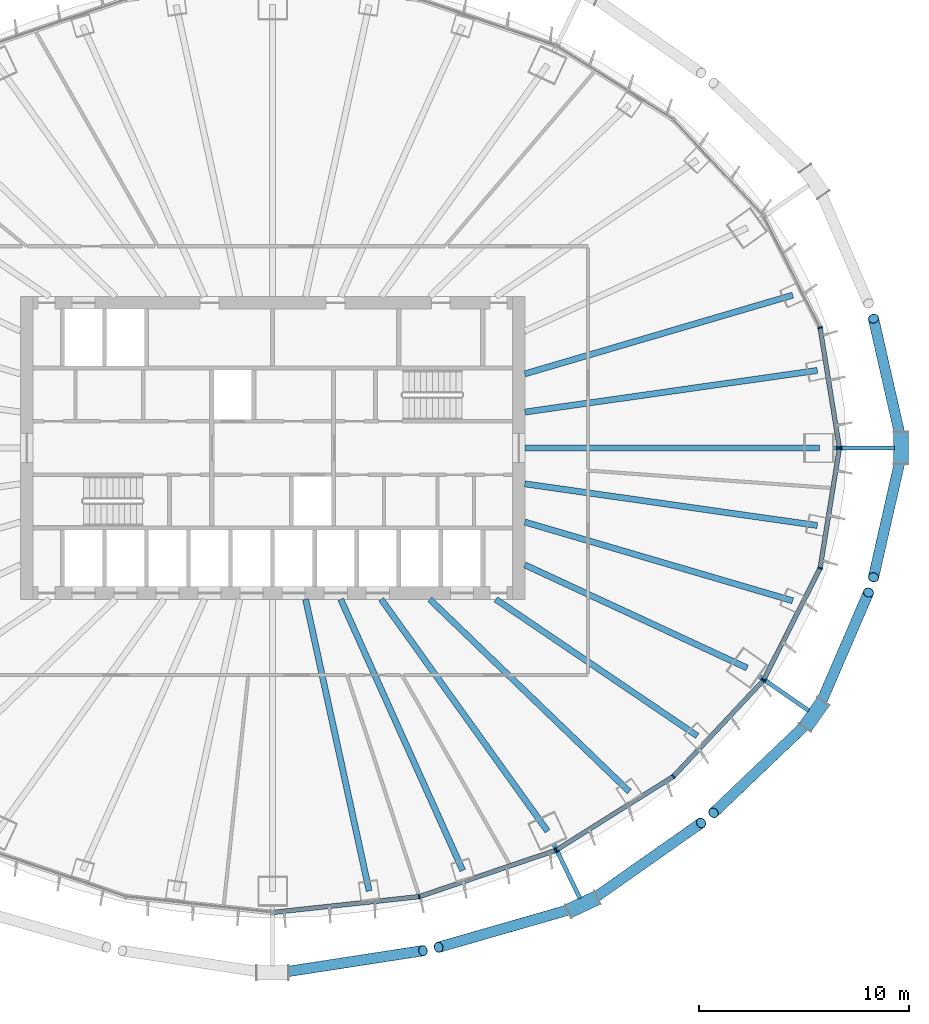
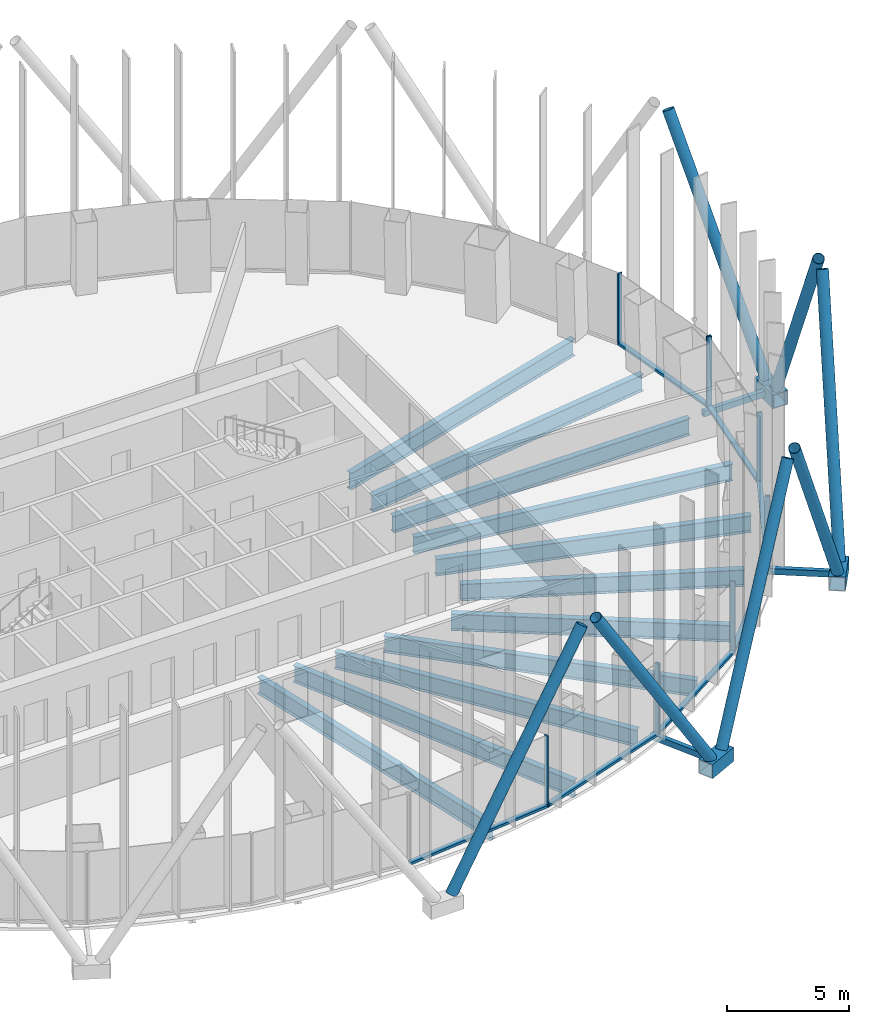
# One storey, part 3 of 21: 30 members, 11 beams, 4 elements without a shape of their own.
"""IFC4 building model written with IfcOpenShell, lengths in metres."""

from ifc_helpers import new_model, si_unit, direction, frame, origin, origin_2d, place, context, subcontext, project, spatial, rectangle, hollow_rectangle, hollow_circle, i_section, extrude, material, layer, layer_set, material_profile, profile_set, type_object, element, aggregate, save


model = new_model("IFC4")

# Units and contexts
model_context = context("Model", 3, precision=1e-05, world=origin(), true_north=direction((0.0, 1.0)))
body_context = subcontext(model_context, "Body", "Model", "MODEL_VIEW")
ifc_project = project(units=[si_unit("LENGTHUNIT", "METRE"), si_unit("AREAUNIT", "SQUARE_METRE"), si_unit("VOLUMEUNIT", "CUBIC_METRE"), si_unit("PLANEANGLEUNIT", "RADIAN"), si_unit("MASSUNIT", "GRAM", prefix="KILO")], contexts=[model_context])

# Site, building, storey
site_placement = place(None, origin())
site = spatial("IfcSite", under=ifc_project, at=site_placement, CompositionType="ELEMENT")
building_placement = place(site_placement, origin())
building = spatial("IfcBuilding", under=site, at=building_placement, Name="Siaravel Broadcast Tower", CompositionType="ELEMENT")
storey_placement = place(building_placement, frame((0.0, 0.0, 70.39990234375)))
storey = spatial("IfcBuildingStorey", under=building, at=storey_placement, Name="L16", CompositionType="ELEMENT", Elevation=70.39990234375)

# Beams
ifc_material_1 = material(Name="Steel S355", Category="steel")
ifc_material_profile_1 = material_profile(ifc_material_1, i_section(OverallWidth=0.291748046875, OverallDepth=0.8349609375, WebThickness=0.013916015625, FlangeThickness=0.018798828125, FilletRadius=0.017822265625, at=origin_2d()))
ifc_profile_set_1 = profile_set([ifc_material_profile_1], Name="Steel S355")
beam_type = type_object("IfcBeamType", Name="BM-UB 838x292x176", PredefinedType="BEAM", material=ifc_profile_set_1)
beam_1_placement = place(storey_placement, frame((26.005615234375, 0.0, -0.5673828125), z_axis=(-1.0, 0.0, 0.0), x_axis=(0.0, -1.0, 0.0)))
element("IfcBeam", 1, at=beam_1_placement, inside=storey, type_object=beam_type, Name="Radial beam RB01", PredefinedType="BEAM", context=body_context, shape_type="SweptSolid", body=[
    extrude(i_section(OverallWidth=0.291748046875, OverallDepth=0.8349609375, WebThickness=0.013916015625, FlangeThickness=0.018798828125, FilletRadius=0.017822265625, at=origin_2d()), origin(), (0.0, 0.0, 1.0), 14.005615234375),
])
beam_2_placement = place(storey_placement, frame((25.911865234375, 3.68701171875, -0.5673828125), z_axis=(-0.990028218, -0.140869185, 0.0), x_axis=(0.140869185, -0.990028218, 0.0)))
element("IfcBeam", 2, at=beam_2_placement, inside=storey, type_object=beam_type, Name="Radial beam RB02", PredefinedType="BEAM", context=body_context, shape_type="SweptSolid", body=[
    extrude(i_section(OverallWidth=0.291748046875, OverallDepth=0.8349609375, WebThickness=0.013916015625, FlangeThickness=0.018798828125, FilletRadius=0.017822265625, at=origin_2d()), origin(), (0.0, 0.0, 1.0), 14.052001953125),
])
beam_3_placement = place(storey_placement, frame((24.739990234375, 7.268798828125, -0.5673828125), z_axis=(-0.959449778, -0.281879626, 0.0), x_axis=(0.281879626, -0.959449778, 0.0)))
element("IfcBeam", 3, at=beam_3_placement, inside=storey, type_object=beam_type, Name="Radial beam RB03", PredefinedType="BEAM", context=body_context, shape_type="SweptSolid", body=[
    extrude(i_section(OverallWidth=0.291748046875, OverallDepth=0.8349609375, WebThickness=0.013916015625, FlangeThickness=0.018798828125, FilletRadius=0.017822265625, at=origin_2d()), origin(), (0.0, 0.0, 1.0), 13.2783203125),
])
beam_4_placement = place(storey_placement, frame((4.592529296875, -21.073486328125, -0.5673828125), z_axis=(-0.212930726, 0.977067299, 0.0), x_axis=(-0.977067299, -0.212930726, 0.0)))
element("IfcBeam", 4, at=beam_4_placement, inside=storey, type_object=beam_type, Name="Radial beam RB29", PredefinedType="BEAM", context=body_context, shape_type="SweptSolid", body=[
    extrude(i_section(OverallWidth=0.291748046875, OverallDepth=0.8349609375, WebThickness=0.013916015625, FlangeThickness=0.018798828125, FilletRadius=0.017822265625, at=origin_2d()), origin(), (0.0, 0.0, 1.0), 14.19921875),
])
beam_5_placement = place(storey_placement, frame((9.0419921875, -20.096923828125, -0.5673828125), z_axis=(-0.410297202, 0.911951866, 0.0), x_axis=(-0.911951866, -0.410297202, 0.0)))
element("IfcBeam", 5, at=beam_5_placement, inside=storey, type_object=beam_type, Name="Radial beam RB30", PredefinedType="BEAM", context=body_context, shape_type="SweptSolid", body=[
    extrude(i_section(OverallWidth=0.291748046875, OverallDepth=0.8349609375, WebThickness=0.013916015625, FlangeThickness=0.018798828125, FilletRadius=0.017822265625, at=origin_2d()), origin(), (0.0, 0.0, 1.0), 14.14208984375),
])
beam_6_placement = place(storey_placement, frame((13.08251953125, -18.233642578125, -0.5673828125), z_axis=(-0.582957933, 0.812502338, 0.0), x_axis=(-0.812502338, -0.582957933, 0.0)))
element("IfcBeam", 6, at=beam_6_placement, inside=storey, type_object=beam_type, Name="Radial beam RB31", PredefinedType="BEAM", context=body_context, shape_type="SweptSolid", body=[
    extrude(i_section(OverallWidth=0.291748046875, OverallDepth=0.8349609375, WebThickness=0.013916015625, FlangeThickness=0.018798828125, FilletRadius=0.017822265625, at=origin_2d()), origin(), (0.0, 0.0, 1.0), 13.579833984375),
])
beam_7_placement = place(storey_placement, frame((16.97021484375, -16.348876953125, -0.5673828125), z_axis=(-0.72016602, 0.693801775, 0.0), x_axis=(-0.693801775, -0.72016602, 0.0)))
element("IfcBeam", 7, at=beam_7_placement, inside=storey, type_object=beam_type, Name="Radial beam RB32", PredefinedType="BEAM", context=body_context, shape_type="SweptSolid", body=[
    extrude(i_section(OverallWidth=0.291748046875, OverallDepth=0.8349609375, WebThickness=0.013916015625, FlangeThickness=0.018798828125, FilletRadius=0.017822265625, at=origin_2d()), origin(), (0.0, 0.0, 1.0), 13.186767578125),
])
beam_8_placement = place(storey_placement, frame((20.205322265625, -13.69921875, -0.5673828125), z_axis=(-0.827695388, 0.561177641, 0.0), x_axis=(-0.561177641, -0.827695388, 0.0)))
element("IfcBeam", 8, at=beam_8_placement, inside=storey, type_object=beam_type, Name="Radial beam RB33", PredefinedType="BEAM", context=body_context, shape_type="SweptSolid", body=[
    extrude(i_section(OverallWidth=0.291748046875, OverallDepth=0.8349609375, WebThickness=0.013916015625, FlangeThickness=0.018798828125, FilletRadius=0.017822265625, at=origin_2d()), origin(), (0.0, 0.0, 1.0), 11.58154296875),
])
beam_9_placement = place(storey_placement, frame((22.5751953125, -10.467529296875, -0.5673828125), z_axis=(-0.907224841, 0.420646036, 0.0), x_axis=(-0.420646036, -0.907224841, 0.0)))
element("IfcBeam", 9, at=beam_9_placement, inside=storey, type_object=beam_type, Name="Radial beam RB34", PredefinedType="BEAM", context=body_context, shape_type="SweptSolid", body=[
    extrude(i_section(OverallWidth=0.291748046875, OverallDepth=0.8349609375, WebThickness=0.013916015625, FlangeThickness=0.018798828125, FilletRadius=0.017822265625, at=origin_2d()), origin(), (0.0, 0.0, 1.0), 11.65673828125),
])
beam_10_placement = place(storey_placement, frame((24.739990234375, -7.268798828125, -0.5673828125), z_axis=(-0.959449778, 0.281879626, 0.0), x_axis=(-0.281879626, -0.959449778, 0.0)))
element("IfcBeam", 10, at=beam_10_placement, inside=storey, type_object=beam_type, Name="Radial beam RB35", PredefinedType="BEAM", context=body_context, shape_type="SweptSolid", body=[
    extrude(i_section(OverallWidth=0.291748046875, OverallDepth=0.8349609375, WebThickness=0.013916015625, FlangeThickness=0.018798828125, FilletRadius=0.017822265625, at=origin_2d()), origin(), (0.0, 0.0, 1.0), 13.2783203125),
])
beam_11_placement = place(storey_placement, frame((25.911865234375, -3.68701171875, -0.5673828125), z_axis=(-0.990028218, 0.140869185, 0.0), x_axis=(-0.140869185, -0.990028218, 0.0)))
element("IfcBeam", 11, at=beam_11_placement, inside=storey, type_object=beam_type, Name="Radial beam RB36", PredefinedType="BEAM", context=body_context, shape_type="SweptSolid", body=[
    extrude(i_section(OverallWidth=0.291748046875, OverallDepth=0.8349609375, WebThickness=0.013916015625, FlangeThickness=0.018798828125, FilletRadius=0.017822265625, at=origin_2d()), origin(), (0.0, 0.0, 1.0), 14.052001953125),
])

# Curtain wall, members
ifc_material_2 = material(Name="Aluminium 6063-T6", Category="aluminium")
ifc_layer = layer(ifc_material_2, 0.219970703125)
ifc_layer_set = layer_set([ifc_layer], Name="Aluminium 6063-T6")
curtain_wall_type = type_object("IfcCurtainWallType", Name="Unitised curtain wall, zone 1", PredefinedType="NOTDEFINED", material=ifc_layer_set)
curtain_wall_1_placement = place(storey_placement, origin())
curtain_wall_1 = element("IfcCurtainWall", 12, at=curtain_wall_1_placement, inside=storey, type_object=curtain_wall_type, Name="L16 Unitised curtain wall, zone 1 01", PredefinedType="NOTDEFINED")
ifc_material_profile_2 = material_profile(ifc_material_2, rectangle(XDim=0.219970703125, YDim=0.070068359375, at=origin_2d()))
ifc_profile_set_2 = profile_set([ifc_material_profile_2], Name="Aluminium 6063-T6")
member_type_1 = type_object("IfcMemberType", Name="CW-Z1 mullion", PredefinedType="MULLION", material=ifc_profile_set_2)
member_1_placement = place(storey_placement, frame((26.9580078125, 0.03466796875, 0.0), z_axis=(0.0, 0.0, 1.0), x_axis=(-0.987329186, -0.158685468, 0.0)))
member_1 = element("IfcMember", 13, at=member_1_placement, type_object=member_type_1, Name="CW-Z1 mullion 1", PredefinedType="MULLION", context=body_context, shape_type="SweptSolid", body=[
    extrude(rectangle(XDim=0.219970703125, YDim=0.070068359375, at=origin_2d()), origin(), (0.0, 0.0, 1.0), 3.550048828125),
])
member_2_placement = place(storey_placement, frame((26.044189453125, 5.72119140625, 0.0), z_axis=(0.0, 0.0, 1.0), x_axis=(-0.951177254, -0.308645154, 0.0)))
member_2 = element("IfcMember", 14, at=member_2_placement, type_object=member_type_1, Name="CW-Z1 mullion 2", PredefinedType="MULLION", context=body_context, shape_type="SweptSolid", body=[
    extrude(rectangle(XDim=0.219970703125, YDim=0.070068359375, at=origin_2d()), origin(), (0.0, 0.0, 1.0), 3.550048828125),
])

curtain_wall_2_placement = place(storey_placement, origin())
curtain_wall_2 = element("IfcCurtainWall", 15, at=curtain_wall_2_placement, inside=storey, type_object=curtain_wall_type, Name="L16 Unitised curtain wall, zone 1 10", PredefinedType="NOTDEFINED")
member_3_placement = place(storey_placement, frame((6.9765625, -21.343017578125, 0.0), z_axis=(0.0, 0.0, 1.0), x_axis=(-0.21555841, 0.976490948, 0.0)))
member_3 = element("IfcMember", 16, at=member_3_placement, type_object=member_type_1, Name="CW-Z1 mullion 2", PredefinedType="MULLION", context=body_context, shape_type="SweptSolid", body=[
    extrude(rectangle(XDim=0.219970703125, YDim=0.070068359375, at=origin_2d()), origin(), (0.0, 0.0, 1.0), 3.550048828125),
])
member_4_placement = place(storey_placement, frame((13.445068359375, -19.148193359375, 0.0), z_axis=(0.0, 0.0, 1.0), x_axis=(-0.321301105, 0.946977085, 0.0)))
member_4 = element("IfcMember", 17, at=member_4_placement, type_object=member_type_1, Name="CW-Z1 mullion 3", PredefinedType="MULLION", context=body_context, shape_type="SweptSolid", body=[
    extrude(rectangle(XDim=0.219970703125, YDim=0.070068359375, at=origin_2d()), origin(), (0.0, 0.0, 1.0), 3.550048828125),
])

curtain_wall_3_placement = place(storey_placement, origin())
curtain_wall_3 = element("IfcCurtainWall", 18, at=curtain_wall_3_placement, inside=storey, type_object=curtain_wall_type, Name="L16 Unitised curtain wall, zone 1 11", PredefinedType="NOTDEFINED")
member_5_placement = place(storey_placement, frame((13.5078125, -19.118408203125, 0.0), z_axis=(0.0, 0.0, 1.0), x_axis=(-0.532149761, 0.846650242, 0.0)))
member_5 = element("IfcMember", 19, at=member_5_placement, type_object=member_type_1, Name="CW-Z1 mullion 1", PredefinedType="MULLION", context=body_context, shape_type="SweptSolid", body=[
    extrude(rectangle(XDim=0.219970703125, YDim=0.070068359375, at=origin_2d()), origin(), (0.0, 0.0, 1.0), 3.550048828125),
])
member_6_placement = place(storey_placement, frame((19.0625, -15.627197265625, 0.0), z_axis=(0.0, 0.0, 1.0), x_axis=(-0.63621907, 0.771508454, 0.0)))
member_6 = element("IfcMember", 20, at=member_6_placement, type_object=member_type_1, Name="CW-Z1 mullion 2", PredefinedType="MULLION", context=body_context, shape_type="SweptSolid", body=[
    extrude(rectangle(XDim=0.219970703125, YDim=0.070068359375, at=origin_2d()), origin(), (0.0, 0.0, 1.0), 3.550048828125),
])
member_7_placement = place(storey_placement, frame((23.32470703125, -11.076904296875, 0.0), z_axis=(0.0, 0.0, 1.0), x_axis=(-0.729805583, 0.683654746, 0.0)))
member_7 = element("IfcMember", 21, at=member_7_placement, type_object=member_type_1, Name="CW-Z1 mullion 3", PredefinedType="MULLION", context=body_context, shape_type="SweptSolid", body=[
    extrude(rectangle(XDim=0.219970703125, YDim=0.070068359375, at=origin_2d()), origin(), (0.0, 0.0, 1.0), 3.550048828125),
])

curtain_wall_4_placement = place(storey_placement, origin())
curtain_wall_4 = element("IfcCurtainWall", 22, at=curtain_wall_4_placement, inside=storey, type_object=curtain_wall_type, Name="L16 Unitised curtain wall, zone 1 12", PredefinedType="NOTDEFINED")
member_8_placement = place(storey_placement, frame((23.364501953125, -11.020263671875, 0.0), z_axis=(0.0, 0.0, 1.0), x_axis=(-0.892392184, 0.451260668, 0.0)))
member_8 = element("IfcMember", 23, at=member_8_placement, type_object=member_type_1, Name="CW-Z1 mullion 1", PredefinedType="MULLION", context=body_context, shape_type="SweptSolid", body=[
    extrude(rectangle(XDim=0.219970703125, YDim=0.070068359375, at=origin_2d()), origin(), (0.0, 0.0, 1.0), 3.550048828125),
])
member_9_placement = place(storey_placement, frame((26.044189453125, -5.72119140625, 0.0), z_axis=(0.0, 0.0, 1.0), x_axis=(-0.951177254, 0.308645154, 0.0)))
member_9 = element("IfcMember", 24, at=member_9_placement, type_object=member_type_1, Name="CW-Z1 mullion 2", PredefinedType="MULLION", context=body_context, shape_type="SweptSolid", body=[
    extrude(rectangle(XDim=0.219970703125, YDim=0.070068359375, at=origin_2d()), origin(), (0.0, 0.0, 1.0), 3.550048828125),
])
member_10_placement = place(storey_placement, frame((26.9580078125, -0.03466796875, 0.0), z_axis=(0.0, 0.0, 1.0), x_axis=(-0.987329186, 0.158685468, 0.0)))
member_10 = element("IfcMember", 25, at=member_10_placement, type_object=member_type_1, Name="CW-Z1 mullion 3", PredefinedType="MULLION", context=body_context, shape_type="SweptSolid", body=[
    extrude(rectangle(XDim=0.219970703125, YDim=0.070068359375, at=origin_2d()), origin(), (0.0, 0.0, 1.0), 3.550048828125),
])

# Member
ifc_material_profile_3 = material_profile(ifc_material_2, rectangle(XDim=0.219970703125, YDim=0.1201171875, at=origin_2d()))
ifc_profile_set_3 = profile_set([ifc_material_profile_3], Name="Aluminium 6063-T6")
member_type_2 = type_object("IfcMemberType", Name="CW-Z1 transom", PredefinedType="USERDEFINED", material=ifc_profile_set_3)
member_11_placement = place(storey_placement, frame((26.952392578125, 0.069091796875, 0.06005859375), z_axis=(-0.158676602, 0.987330611, 0.0), x_axis=(-0.987330611, -0.158676602, 0.0)))
member_11 = element("IfcMember", 26, at=member_11_placement, type_object=member_type_2, Name="CW-Z1 transom 1", ObjectType="TRANSOM", PredefinedType="USERDEFINED", context=body_context, shape_type="SweptSolid", body=[
    extrude(rectangle(XDim=0.219970703125, YDim=0.1201171875, at=origin_2d()), origin(), (0.0, 0.0, 1.0), 5.689697265625),
])

aggregate(curtain_wall_1, [member_1, member_2, member_11])

member_12_placement = place(storey_placement, frame((0.069580078125, -22.087890625, 0.06005859375), z_axis=(0.99423354, 0.107236501, 0.0), x_axis=(-0.107236501, 0.99423354, 0.0)))
member_12 = element("IfcMember", 27, at=member_12_placement, type_object=member_type_2, Name="CW-Z1 transom 1", ObjectType="TRANSOM", PredefinedType="USERDEFINED", context=body_context, shape_type="SweptSolid", body=[
    extrude(rectangle(XDim=0.219970703125, YDim=0.1201171875, at=origin_2d()), origin(), (0.0, 0.0, 1.0), 6.911865234375),
])

member_13_placement = place(storey_placement, frame((7.009521484375, -21.331787109375, 0.06005859375), z_axis=(0.946972422, 0.321314849, 0.0), x_axis=(-0.321314849, 0.946972422, 0.0)))
member_13 = element("IfcMember", 28, at=member_13_placement, type_object=member_type_2, Name="CW-Z1 transom 2", ObjectType="TRANSOM", PredefinedType="USERDEFINED", context=body_context, shape_type="SweptSolid", body=[
    extrude(rectangle(XDim=0.219970703125, YDim=0.1201171875, at=origin_2d()), origin(), (0.0, 0.0, 1.0), 6.7607421875),
])

aggregate(curtain_wall_2, [member_3, member_4, member_12, member_13])

member_14_placement = place(storey_placement, frame((13.537353515625, -19.099609375, 0.06005859375), z_axis=(0.846662211, 0.532130717, 0.0), x_axis=(-0.532130717, 0.846662211, 0.0)))
member_14 = element("IfcMember", 29, at=member_14_placement, type_object=member_type_2, Name="CW-Z1 transom 1", ObjectType="TRANSOM", PredefinedType="USERDEFINED", context=body_context, shape_type="SweptSolid", body=[
    extrude(rectangle(XDim=0.219970703125, YDim=0.1201171875, at=origin_2d()), origin(), (0.0, 0.0, 1.0), 6.49072265625),
])

member_15_placement = place(storey_placement, frame((19.08642578125, -15.6015625, 0.06005859375), z_axis=(0.683640708, 0.729818733, 0.0), x_axis=(-0.729818733, 0.683640708, 0.0)))
member_15 = element("IfcMember", 30, at=member_15_placement, type_object=member_type_2, Name="CW-Z1 transom 2", ObjectType="TRANSOM", PredefinedType="USERDEFINED", context=body_context, shape_type="SweptSolid", body=[
    extrude(rectangle(XDim=0.219970703125, YDim=0.1201171875, at=origin_2d()), origin(), (0.0, 0.0, 1.0), 6.16455078125),
])

aggregate(curtain_wall_3, [member_5, member_6, member_7, member_14, member_15])

member_16_placement = place(storey_placement, frame((23.38037109375, -10.989013671875, 0.06005859375), z_axis=(0.451253077, 0.892396022, 0.0), x_axis=(-0.892396022, 0.451253077, 0.0)))
member_16 = element("IfcMember", 31, at=member_16_placement, type_object=member_type_2, Name="CW-Z1 transom 1", ObjectType="TRANSOM", PredefinedType="USERDEFINED", context=body_context, shape_type="SweptSolid", body=[
    extrude(rectangle(XDim=0.219970703125, YDim=0.1201171875, at=origin_2d()), origin(), (0.0, 0.0, 1.0), 5.867919921875),
])

member_17_placement = place(storey_placement, frame((26.049560546875, -5.686767578125, 0.06005859375), z_axis=(0.158676602, 0.987330611, 0.0), x_axis=(-0.987330611, 0.158676602, 0.0)))
member_17 = element("IfcMember", 32, at=member_17_placement, type_object=member_type_2, Name="CW-Z1 transom 2", ObjectType="TRANSOM", PredefinedType="USERDEFINED", context=body_context, shape_type="SweptSolid", body=[
    extrude(rectangle(XDim=0.219970703125, YDim=0.1201171875, at=origin_2d()), origin(), (0.0, 0.0, 1.0), 5.689697265625),
])

aggregate(curtain_wall_4, [member_8, member_9, member_10, member_16, member_17])

# Members
ifc_material_3 = material(Name="Steel S460", Category="steel")
ifc_material_profile_4 = material_profile(ifc_material_3, hollow_circle(Radius=0.25390625, WallThickness=0.02001953125, at=origin_2d()))
ifc_profile_set_4 = profile_set([ifc_material_profile_4], Name="Steel S460")
member_type_3 = type_object("IfcMemberType", Name="Diagrid diagonal CHS 508x20", PredefinedType="BRACE", material=ifc_profile_set_4)
for number, where, z_axis, x_axis, name in (
    (33, (29.897705078125, -0.37939453125, 0.1201171875), (-0.109155111, -0.48039217, 0.870234753), (0.97514379, -0.221572988, 0.0), "Diagrid diagonal R07 station 00C"),
    (34, (29.897705078125, 0.37939453125, 0.1201171875), (-0.109155111, 0.48039217, 0.870234753), (-0.97514379, -0.221572988, 0.0), "Diagrid diagonal R07 station 00A"),
):
    element("IfcMember", number, at=place(storey_placement, frame(where, z_axis=z_axis, x_axis=x_axis)), inside=storey, type_object=member_type_3, Name=name, PredefinedType="BRACE", context=body_context, shape_type="SweptSolid", body=[
        extrude(hollow_circle(Radius=0.25390625, WallThickness=0.02001953125, at=origin_2d()), origin(), (0.0, 0.0, 1.0), 12.019775390625),
    ])
member_18_placement = place(storey_placement, frame((0.37939453125, -24.9599609375, 0.1201171875), z_axis=(0.541632288, 0.083559319, 0.836452213), x_axis=(-0.152469417, 0.988308189, 0.0)))
element("IfcMember", 35, at=member_18_placement, inside=storey, type_object=member_type_3, Name="Diagrid diagonal R07 station 54A", PredefinedType="BRACE", context=body_context, shape_type="SweptSolid", body=[
    extrude(hollow_circle(Radius=0.25390625, WallThickness=0.02001953125, at=origin_2d()), origin(), (0.0, 0.0, 1.0), 12.505126953125),
])
member_19_placement = place(storey_placement, frame((14.41748046875, -21.876953125, 0.1201171875), z_axis=(-0.523174045, -0.150406909, 0.838848425), x_axis=(0.276297874, -0.96107205, 0.0)))
element("IfcMember", 36, at=member_19_placement, inside=storey, type_object=member_type_3, Name="Diagrid diagonal R07 station 60C", PredefinedType="BRACE", context=body_context, shape_type="SweptSolid", body=[
    extrude(hollow_circle(Radius=0.25390625, WallThickness=0.02001953125, at=origin_2d()), origin(), (0.0, 0.0, 1.0), 12.469482421875),
])
member_20_placement = place(storey_placement, frame((15.103515625, -21.552490234375, 0.1201171875), z_axis=(0.429662089, 0.302026707, 0.850981996), x_axis=(-0.575075518, 0.818100329, 0.0)))
element("IfcMember", 37, at=member_20_placement, inside=storey, type_object=member_type_3, Name="Diagrid diagonal R07 station 60A", PredefinedType="BRACE", context=body_context, shape_type="SweptSolid", body=[
    extrude(hollow_circle(Radius=0.25390625, WallThickness=0.02001953125, at=origin_2d()), origin(), (0.0, 0.0, 1.0), 12.291748046875),
])
member_21_placement = place(storey_placement, frame((25.547119140625, -12.988037109375, 0.1201171875), z_axis=(-0.37426482, -0.357569586, 0.855610797), x_axis=(0.690795924, -0.723049785, 0.0)))
element("IfcMember", 38, at=member_21_placement, inside=storey, type_object=member_type_3, Name="Diagrid diagonal R07 station 66C", PredefinedType="BRACE", context=body_context, shape_type="SweptSolid", body=[
    extrude(hollow_circle(Radius=0.25390625, WallThickness=0.02001953125, at=origin_2d()), origin(), (0.0, 0.0, 1.0), 12.22509765625),
])
member_22_placement = place(storey_placement, frame((25.984375, -12.367919921875, 0.1201171875), z_axis=(0.196300242, 0.455899612, 0.868113909), x_axis=(-0.918476496, 0.395475569, 0.0)))
element("IfcMember", 39, at=member_22_placement, inside=storey, type_object=member_type_3, Name="Diagrid diagonal R07 station 66A", PredefinedType="BRACE", context=body_context, shape_type="SweptSolid", body=[
    extrude(hollow_circle(Radius=0.25390625, WallThickness=0.02001953125, at=origin_2d()), origin(), (0.0, 0.0, 1.0), 12.049072265625),
])
ifc_material_profile_5 = material_profile(ifc_material_3, hollow_rectangle(XDim=0.699951171875, YDim=0.699951171875, WallThickness=0.0400390625, at=origin_2d()))
ifc_profile_set_5 = profile_set([ifc_material_profile_5], Name="Steel S460")
member_type_4 = type_object("IfcMemberType", Name="Diagrid node BOX 700x700x40", PredefinedType="USERDEFINED", material=ifc_profile_set_5)
for number, where, z_axis, x_axis, name in (
    (40, (29.897705078125, -0.75341796875, -0.199951171875), (0.0, 1.0, 0.0), (-1.0, 0.0, 0.0), "Diagrid node R07 station 00"),
    (41, (14.079345703125, -22.036865234375, -0.199951171875), (0.903968656, 0.427598724, 0.0), (-0.427598724, 0.903968656, 0.0), "Diagrid node R07 station 60"),
    (42, (25.331787109375, -13.293701171875, -0.199951171875), (0.576015054, 0.817439085, 0.0), (-0.817439085, 0.576015054, 0.0), "Diagrid node R07 station 66"),
):
    element("IfcMember", number, at=place(storey_placement, frame(where, z_axis=z_axis, x_axis=x_axis)), inside=storey, type_object=member_type_4, Name=name, ObjectType="DIAGRID NODE", PredefinedType="USERDEFINED", context=body_context, shape_type="SweptSolid", body=[
        extrude(hollow_rectangle(XDim=0.699951171875, YDim=0.699951171875, WallThickness=0.0400390625, at=origin_2d()), origin(), (0.0, 0.0, 1.0), 1.5068359375),
    ])
ifc_material_profile_6 = material_profile(ifc_material_3, hollow_rectangle(XDim=0.199951171875, YDim=0.300048828125, WallThickness=0.012451171875, at=origin_2d()))
ifc_profile_set_6 = profile_set([ifc_material_profile_6], Name="Steel S460")
member_type_5 = type_object("IfcMemberType", Name="Diagrid node arm RHS 300x200x12.5", PredefinedType="STRUT", material=ifc_profile_set_6)
member_23_placement = place(storey_placement, frame((26.67578125, 0.0, -0.199951171875), z_axis=(1.0, 0.0, 0.0), x_axis=(0.0, 1.0, 0.0)))
element("IfcMember", 43, at=member_23_placement, inside=storey, type_object=member_type_5, Name="Node arm R07 station 00", PredefinedType="STRUT", context=body_context, shape_type="SweptSolid", body=[
    extrude(hollow_rectangle(XDim=0.199951171875, YDim=0.300048828125, WallThickness=0.012451171875, at=origin_2d()), origin(), (0.0, 0.0, 1.0), 2.902099609375),
])
member_24_placement = place(storey_placement, frame((13.37353515625, -18.837158203125, -0.199951171875), z_axis=(0.434188426, -0.900822075, 0.0), x_axis=(0.900822075, 0.434188426, 0.0)))
element("IfcMember", 44, at=member_24_placement, inside=storey, type_object=member_type_5, Name="Node arm R07 station 60", PredefinedType="STRUT", context=body_context, shape_type="SweptSolid", body=[
    extrude(hollow_rectangle(XDim=0.199951171875, YDim=0.300048828125, WallThickness=0.012451171875, at=origin_2d()), origin(), (0.0, 0.0, 1.0), 2.87451171875),
])
member_25_placement = place(storey_placement, frame((23.1259765625, -10.84912109375, -0.199951171875), z_axis=(0.822018884, -0.569460231, 0.0), x_axis=(0.569460231, 0.822018884, 0.0)))
element("IfcMember", 45, at=member_25_placement, inside=storey, type_object=member_type_5, Name="Node arm R07 station 66", PredefinedType="STRUT", context=body_context, shape_type="SweptSolid", body=[
    extrude(hollow_rectangle(XDim=0.199951171875, YDim=0.300048828125, WallThickness=0.012451171875, at=origin_2d()), origin(), (0.0, 0.0, 1.0), 2.891357421875),
])

save(model, "model.ifc")
